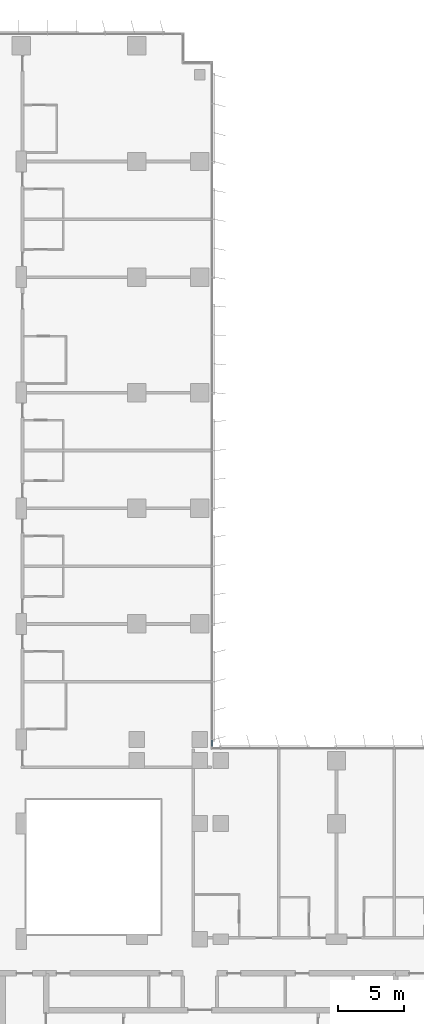
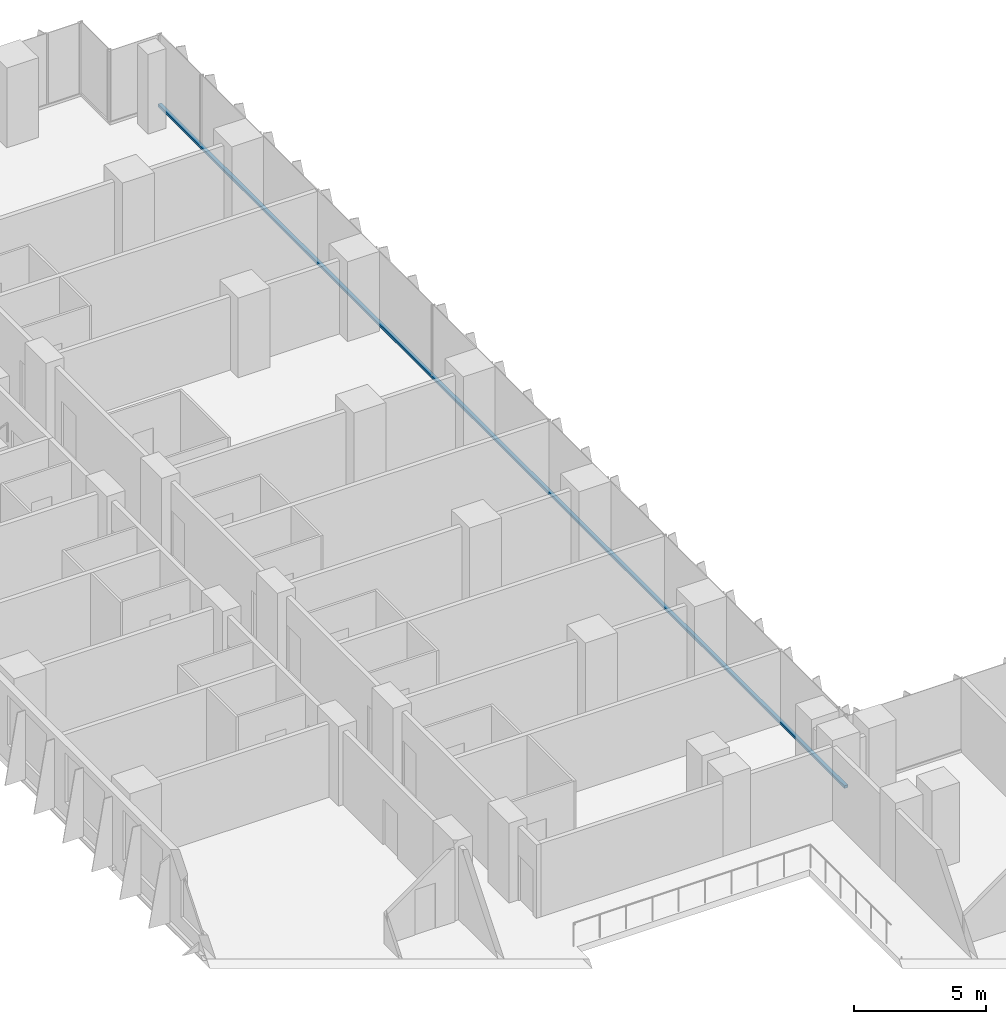
# One storey, part 6 of 24: 1 member, 1 element without a shape of its own.
"""IFC4 building model written with IfcOpenShell, lengths in metres."""

from ifc_helpers import new_model, si_unit, direction, frame, origin, origin_2d, place, context, subcontext, project, spatial, rectangle, extrude, material, material_profile, profile_set, type_object, element, aggregate, save


model = new_model("IFC4")

# Units and contexts
model_context = context("Model", 3, precision=1e-05, world=origin(), true_north=direction((0.0, 1.0)))
body_context = subcontext(model_context, "Body", "Model", "MODEL_VIEW")
ifc_project = project(units=[si_unit("LENGTHUNIT", "METRE"), si_unit("AREAUNIT", "SQUARE_METRE"), si_unit("VOLUMEUNIT", "CUBIC_METRE"), si_unit("PLANEANGLEUNIT", "RADIAN"), si_unit("MASSUNIT", "GRAM", prefix="KILO")], contexts=[model_context])

# Site, building, storey
site_placement = place(None, origin())
site = spatial("IfcSite", under=ifc_project, at=site_placement, CompositionType="ELEMENT")
building_placement = place(site_placement, origin())
building = spatial("IfcBuilding", under=site, at=building_placement, Name="Kemantara Hotel Tower", CompositionType="ELEMENT")
storey_placement = place(building_placement, frame((0.0, 0.0, 37.699951171875)))
storey = spatial("IfcBuildingStorey", under=building, at=storey_placement, Name="L07", CompositionType="ELEMENT", Elevation=37.699951171875)

# Curtain wall, member
ifc_material_1 = material(Name="Low-E tinted double insulated glass 36 mm", Category="glass")
curtain_wall_type = type_object("IfcCurtainWallType", Name="TOWER CURTAIN WALL, FRONT FACES", PredefinedType="USERDEFINED", material=ifc_material_1)
curtain_wall_placement = place(storey_placement, origin())
curtain_wall = element("IfcCurtainWall", 1, at=curtain_wall_placement, inside=storey, type_object=curtain_wall_type, Name="CW4 L07 T1-R08-1", ObjectType="TOWER CURTAIN WALL, FRONT FACES", PredefinedType="USERDEFINED")
ifc_material_2 = material(Name="Aluminium 6063-T6 bronze anodised", Category="aluminium")
ifc_material_profile = material_profile(ifc_material_2, rectangle(XDim=0.14990234375, YDim=0.1201171875, at=origin_2d()), Name="TOWER CURTAIN WALL, FRONT FACES TRANSOM")
ifc_profile_set = profile_set([ifc_material_profile], Name="Aluminium 6063-T6 bronze anodised")
member_type = type_object("IfcMemberType", Name="TOWER CURTAIN WALL, FRONT FACES TRANSOM", PredefinedType="USERDEFINED", material=ifc_profile_set)
member_placement = place(storey_placement, frame((26.72509765625, 26.800048828125, 0.06005859375), z_axis=(0.0, 1.0, 0.0), x_axis=(-1.0, 0.0, 0.0)))
member = element("IfcMember", 2, at=member_placement, type_object=member_type, Name="CW4 sill transom T1-R08-1", ObjectType="TRANSOM", PredefinedType="USERDEFINED", context=body_context, shape_type="SweptSolid", body=[
    extrude(rectangle(XDim=0.14990234375, YDim=0.1201171875, at=origin_2d()), origin(), (0.0, 0.0, 1.0), 52.199951171875),
])
aggregate(curtain_wall, [member])

save(model, "model.ifc")
